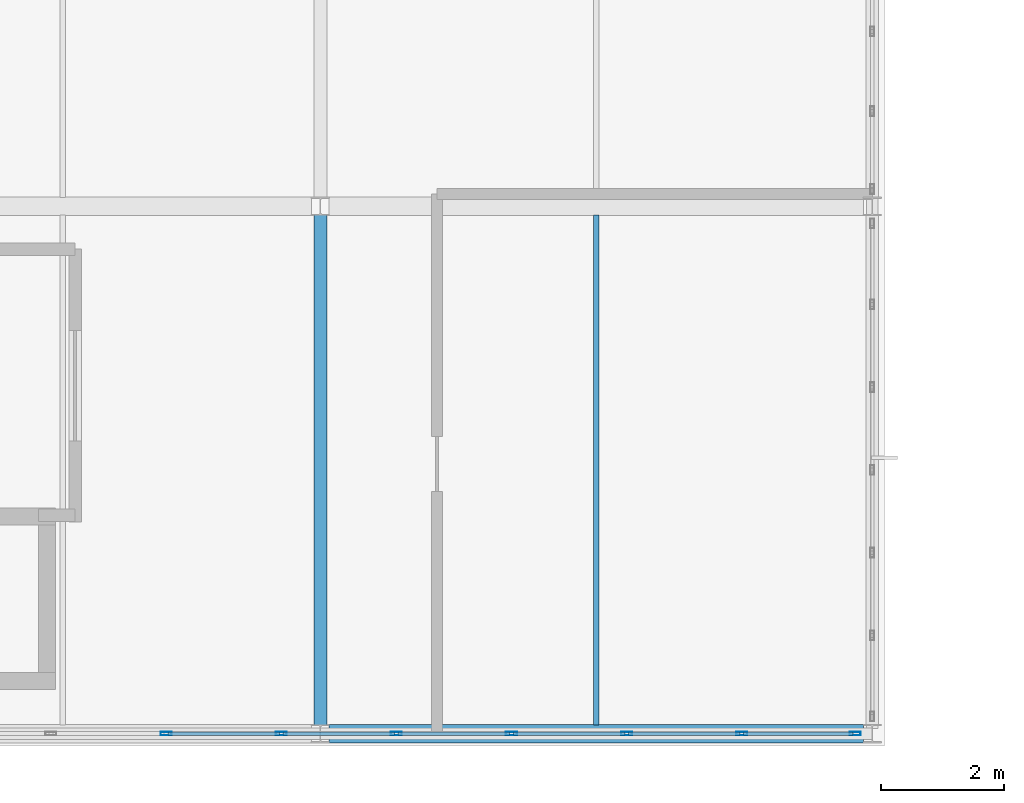
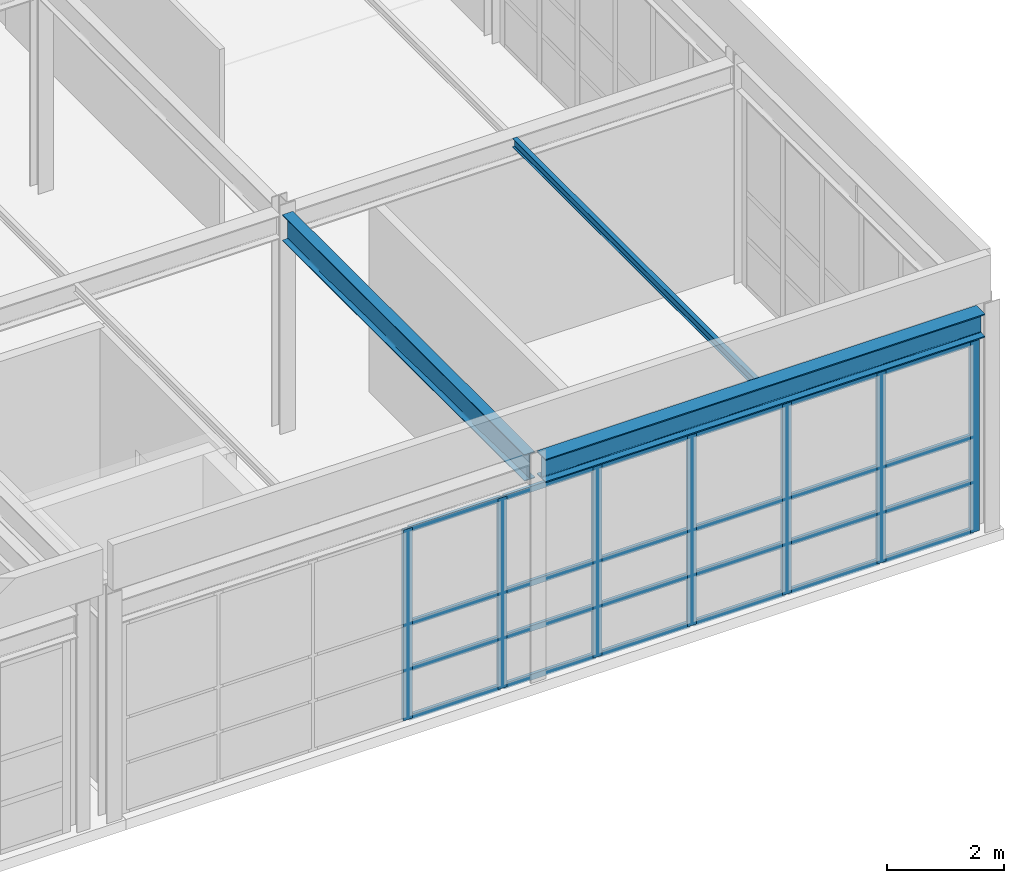
# One storey, part 21 of 38: 31 members, 3 beams, 1 element without a shape of its own.
"""IFC4 building model written with IfcOpenShell, lengths in metres."""

from ifc_helpers import new_model, si_unit, direction, frame, origin, origin_2d, place, context, subcontext, project, spatial, hollow_rectangle, i_section, extrude, material, material_profile, profile_set, type_object, element, aggregate, save


model = new_model("IFC4")

# Units and contexts
model_context = context("Model", 3, precision=1e-05, world=origin(), true_north=direction((0.0, 1.0)))
body_context = subcontext(model_context, "Body", "Model", "MODEL_VIEW")
ifc_project = project(units=[si_unit("LENGTHUNIT", "METRE"), si_unit("AREAUNIT", "SQUARE_METRE"), si_unit("VOLUMEUNIT", "CUBIC_METRE"), si_unit("PLANEANGLEUNIT", "RADIAN"), si_unit("MASSUNIT", "GRAM", prefix="KILO")], contexts=[model_context])

# Site, building, storey
site_placement = place(None, origin())
site = spatial("IfcSite", under=ifc_project, at=site_placement, CompositionType="ELEMENT")
building_placement = place(site_placement, origin())
building = spatial("IfcBuilding", under=site, at=building_placement, Name="Kaldris Quays Convention Centre", CompositionType="ELEMENT")
storey_placement = place(building_placement, frame((0.0, 0.0, 21.60009765625)))
storey = spatial("IfcBuildingStorey", under=building, at=storey_placement, Name="L04", CompositionType="ELEMENT", Elevation=21.60009765625)

# Curtain wall, members
ifc_material_1 = material(Name="Anodized aluminium AW-6060 and triple glazing", Category="aluminium")
curtain_wall_type = type_object("IfcCurtainWallType", Name="UNITISED CURTAIN WALL CW05", PredefinedType="NOTDEFINED", material=ifc_material_1)
curtain_wall_placement = place(storey_placement, origin())
curtain_wall = element("IfcCurtainWall", 1, at=curtain_wall_placement, inside=storey, type_object=curtain_wall_type, Name="L04 Unitised Curtain Wall CW05 152", PredefinedType="NOTDEFINED")
ifc_material_2 = material(Name="Anodized aluminium AW-6060", Category="aluminium")
ifc_material_profile_1 = material_profile(ifc_material_2, hollow_rectangle(XDim=0.06005859375, YDim=0.179931640625, WallThickness=0.0048828125, at=origin_2d()), Name="RHS 180x60x5")
ifc_profile_set_1 = profile_set([ifc_material_profile_1], Name="Anodized aluminium AW-6060")
member_type_1 = type_object("IfcMemberType", Name="CURTAIN MULLION CWM2", PredefinedType="MULLION", material=ifc_profile_set_1)
member_1_placement = place(storey_placement, frame((152.4833984375, 38.0, 0.0), z_axis=(0.0, 0.0, 1.0), x_axis=(0.0, 1.0, 0.0)))
member_1 = element("IfcMember", 2, at=member_1_placement, type_object=member_type_1, Name="CW05 mullion 4", PredefinedType="MULLION", context=body_context, shape_type="SweptSolid", body=[
    extrude(hollow_rectangle(XDim=0.06005859375, YDim=0.179931640625, WallThickness=0.0048828125, at=origin_2d()), origin(), (0.0, 0.0, 1.0), 4.0),
])
member_2_placement = place(storey_placement, frame((154.361083984375, 38.0, 0.0), z_axis=(0.0, 0.0, 1.0), x_axis=(0.0, 1.0, 0.0)))
member_2 = element("IfcMember", 3, at=member_2_placement, type_object=member_type_1, Name="CW05 mullion 5", PredefinedType="MULLION", context=body_context, shape_type="SweptSolid", body=[
    extrude(hollow_rectangle(XDim=0.06005859375, YDim=0.179931640625, WallThickness=0.0048828125, at=origin_2d()), origin(), (0.0, 0.0, 1.0), 4.0),
])
member_3_placement = place(storey_placement, frame((156.23876953125, 38.0, 0.0), z_axis=(0.0, 0.0, 1.0), x_axis=(0.0, 1.0, 0.0)))
member_3 = element("IfcMember", 4, at=member_3_placement, type_object=member_type_1, Name="CW05 mullion 6", PredefinedType="MULLION", context=body_context, shape_type="SweptSolid", body=[
    extrude(hollow_rectangle(XDim=0.06005859375, YDim=0.179931640625, WallThickness=0.0048828125, at=origin_2d()), origin(), (0.0, 0.0, 1.0), 4.0),
])
member_4_placement = place(storey_placement, frame((158.11669921875, 38.0, 0.0), z_axis=(0.0, 0.0, 1.0), x_axis=(0.0, 1.0, 0.0)))
member_4 = element("IfcMember", 5, at=member_4_placement, type_object=member_type_1, Name="CW05 mullion 7", PredefinedType="MULLION", context=body_context, shape_type="SweptSolid", body=[
    extrude(hollow_rectangle(XDim=0.06005859375, YDim=0.179931640625, WallThickness=0.0048828125, at=origin_2d()), origin(), (0.0, 0.0, 1.0), 4.0),
])
member_5_placement = place(storey_placement, frame((159.994384765625, 38.0, 0.0), z_axis=(0.0, 0.0, 1.0), x_axis=(0.0, 1.0, 0.0)))
member_5 = element("IfcMember", 6, at=member_5_placement, type_object=member_type_1, Name="CW05 mullion 8", PredefinedType="MULLION", context=body_context, shape_type="SweptSolid", body=[
    extrude(hollow_rectangle(XDim=0.06005859375, YDim=0.179931640625, WallThickness=0.0048828125, at=origin_2d()), origin(), (0.0, 0.0, 1.0), 4.0),
])
member_6_placement = place(storey_placement, frame((161.872314453125, 38.0, 0.0), z_axis=(0.0, 0.0, 1.0), x_axis=(0.0, 1.0, 0.0)))
member_6 = element("IfcMember", 7, at=member_6_placement, type_object=member_type_1, Name="CW05 mullion 9", PredefinedType="MULLION", context=body_context, shape_type="SweptSolid", body=[
    extrude(hollow_rectangle(XDim=0.06005859375, YDim=0.179931640625, WallThickness=0.0048828125, at=origin_2d()), origin(), (0.0, 0.0, 1.0), 4.0),
])
member_7_placement = place(storey_placement, frame((163.719970703125, 38.0, 0.0), z_axis=(0.0, 0.0, 1.0), x_axis=(0.0, 1.0, 0.0)))
member_7 = element("IfcMember", 8, at=member_7_placement, type_object=member_type_1, Name="CW05 mullion 10", PredefinedType="MULLION", context=body_context, shape_type="SweptSolid", body=[
    extrude(hollow_rectangle(XDim=0.06005859375, YDim=0.179931640625, WallThickness=0.0048828125, at=origin_2d()), origin(), (0.0, 0.0, 1.0), 4.0),
])
ifc_material_profile_2 = material_profile(ifc_material_2, hollow_rectangle(XDim=0.06005859375, YDim=0.1201171875, WallThickness=0.00390625, at=origin_2d()), Name="RHS 120x60x4")
ifc_profile_set_2 = profile_set([ifc_material_profile_2], Name="Anodized aluminium AW-6060")
member_type_2 = type_object("IfcMemberType", Name="CURTAIN TRANSOM CWT1", PredefinedType="USERDEFINED", material=ifc_profile_set_2)
member_8_placement = place(storey_placement, frame((152.513427734375, 38.0, 0.02978515625), z_axis=(1.0, 0.0, 0.0), x_axis=(0.0, 1.0, 0.0)))
member_8 = element("IfcMember", 9, at=member_8_placement, type_object=member_type_2, Name="CW05 transom 4.1", ObjectType="TRANSOM", PredefinedType="USERDEFINED", context=body_context, shape_type="SweptSolid", body=[
    extrude(hollow_rectangle(XDim=0.06005859375, YDim=0.1201171875, WallThickness=0.00390625, at=origin_2d()), origin(), (0.0, 0.0, 1.0), 1.817626953125),
])
member_9_placement = place(storey_placement, frame((152.513427734375, 38.0, 1.0498046875), z_axis=(1.0, 0.0, 0.0), x_axis=(0.0, 1.0, 0.0)))
member_9 = element("IfcMember", 10, at=member_9_placement, type_object=member_type_2, Name="CW05 transom 4.2", ObjectType="TRANSOM", PredefinedType="USERDEFINED", context=body_context, shape_type="SweptSolid", body=[
    extrude(hollow_rectangle(XDim=0.06005859375, YDim=0.1201171875, WallThickness=0.00390625, at=origin_2d()), origin(), (0.0, 0.0, 1.0), 1.817626953125),
])
member_10_placement = place(storey_placement, frame((152.513427734375, 38.0, 2.0), z_axis=(1.0, 0.0, 0.0), x_axis=(0.0, 1.0, 0.0)))
member_10 = element("IfcMember", 11, at=member_10_placement, type_object=member_type_2, Name="CW05 transom 4.3", ObjectType="TRANSOM", PredefinedType="USERDEFINED", context=body_context, shape_type="SweptSolid", body=[
    extrude(hollow_rectangle(XDim=0.06005859375, YDim=0.1201171875, WallThickness=0.00390625, at=origin_2d()), origin(), (0.0, 0.0, 1.0), 1.817626953125),
])
member_11_placement = place(storey_placement, frame((152.513427734375, 38.0, 3.969970703125), z_axis=(1.0, 0.0, 0.0), x_axis=(0.0, 1.0, 0.0)))
member_11 = element("IfcMember", 12, at=member_11_placement, type_object=member_type_2, Name="CW05 transom 4.4", ObjectType="TRANSOM", PredefinedType="USERDEFINED", context=body_context, shape_type="SweptSolid", body=[
    extrude(hollow_rectangle(XDim=0.06005859375, YDim=0.1201171875, WallThickness=0.00390625, at=origin_2d()), origin(), (0.0, 0.0, 1.0), 1.817626953125),
])
member_12_placement = place(storey_placement, frame((154.39111328125, 38.0, 0.02978515625), z_axis=(1.0, 0.0, 0.0), x_axis=(0.0, 1.0, 0.0)))
member_12 = element("IfcMember", 13, at=member_12_placement, type_object=member_type_2, Name="CW05 transom 5.1", ObjectType="TRANSOM", PredefinedType="USERDEFINED", context=body_context, shape_type="SweptSolid", body=[
    extrude(hollow_rectangle(XDim=0.06005859375, YDim=0.1201171875, WallThickness=0.00390625, at=origin_2d()), origin(), (0.0, 0.0, 1.0), 1.81787109375),
])
member_13_placement = place(storey_placement, frame((154.39111328125, 38.0, 1.0498046875), z_axis=(1.0, 0.0, 0.0), x_axis=(0.0, 1.0, 0.0)))
member_13 = element("IfcMember", 14, at=member_13_placement, type_object=member_type_2, Name="CW05 transom 5.2", ObjectType="TRANSOM", PredefinedType="USERDEFINED", context=body_context, shape_type="SweptSolid", body=[
    extrude(hollow_rectangle(XDim=0.06005859375, YDim=0.1201171875, WallThickness=0.00390625, at=origin_2d()), origin(), (0.0, 0.0, 1.0), 1.81787109375),
])
member_14_placement = place(storey_placement, frame((154.39111328125, 38.0, 2.0), z_axis=(1.0, 0.0, 0.0), x_axis=(0.0, 1.0, 0.0)))
member_14 = element("IfcMember", 15, at=member_14_placement, type_object=member_type_2, Name="CW05 transom 5.3", ObjectType="TRANSOM", PredefinedType="USERDEFINED", context=body_context, shape_type="SweptSolid", body=[
    extrude(hollow_rectangle(XDim=0.06005859375, YDim=0.1201171875, WallThickness=0.00390625, at=origin_2d()), origin(), (0.0, 0.0, 1.0), 1.81787109375),
])
member_15_placement = place(storey_placement, frame((154.39111328125, 38.0, 3.969970703125), z_axis=(1.0, 0.0, 0.0), x_axis=(0.0, 1.0, 0.0)))
member_15 = element("IfcMember", 16, at=member_15_placement, type_object=member_type_2, Name="CW05 transom 5.4", ObjectType="TRANSOM", PredefinedType="USERDEFINED", context=body_context, shape_type="SweptSolid", body=[
    extrude(hollow_rectangle(XDim=0.06005859375, YDim=0.1201171875, WallThickness=0.00390625, at=origin_2d()), origin(), (0.0, 0.0, 1.0), 1.81787109375),
])
member_16_placement = place(storey_placement, frame((156.268798828125, 38.0, 0.02978515625), z_axis=(1.0, 0.0, 0.0), x_axis=(0.0, 1.0, 0.0)))
member_16 = element("IfcMember", 17, at=member_16_placement, type_object=member_type_2, Name="CW05 transom 6.1", ObjectType="TRANSOM", PredefinedType="USERDEFINED", context=body_context, shape_type="SweptSolid", body=[
    extrude(hollow_rectangle(XDim=0.06005859375, YDim=0.1201171875, WallThickness=0.00390625, at=origin_2d()), origin(), (0.0, 0.0, 1.0), 1.81787109375),
])
member_17_placement = place(storey_placement, frame((156.268798828125, 38.0, 1.0498046875), z_axis=(1.0, 0.0, 0.0), x_axis=(0.0, 1.0, 0.0)))
member_17 = element("IfcMember", 18, at=member_17_placement, type_object=member_type_2, Name="CW05 transom 6.2", ObjectType="TRANSOM", PredefinedType="USERDEFINED", context=body_context, shape_type="SweptSolid", body=[
    extrude(hollow_rectangle(XDim=0.06005859375, YDim=0.1201171875, WallThickness=0.00390625, at=origin_2d()), origin(), (0.0, 0.0, 1.0), 1.81787109375),
])
member_18_placement = place(storey_placement, frame((156.268798828125, 38.0, 2.0), z_axis=(1.0, 0.0, 0.0), x_axis=(0.0, 1.0, 0.0)))
member_18 = element("IfcMember", 19, at=member_18_placement, type_object=member_type_2, Name="CW05 transom 6.3", ObjectType="TRANSOM", PredefinedType="USERDEFINED", context=body_context, shape_type="SweptSolid", body=[
    extrude(hollow_rectangle(XDim=0.06005859375, YDim=0.1201171875, WallThickness=0.00390625, at=origin_2d()), origin(), (0.0, 0.0, 1.0), 1.81787109375),
])
member_19_placement = place(storey_placement, frame((156.268798828125, 38.0, 3.969970703125), z_axis=(1.0, 0.0, 0.0), x_axis=(0.0, 1.0, 0.0)))
member_19 = element("IfcMember", 20, at=member_19_placement, type_object=member_type_2, Name="CW05 transom 6.4", ObjectType="TRANSOM", PredefinedType="USERDEFINED", context=body_context, shape_type="SweptSolid", body=[
    extrude(hollow_rectangle(XDim=0.06005859375, YDim=0.1201171875, WallThickness=0.00390625, at=origin_2d()), origin(), (0.0, 0.0, 1.0), 1.81787109375),
])
member_20_placement = place(storey_placement, frame((158.146728515625, 38.0, 0.02978515625), z_axis=(1.0, 0.0, 0.0), x_axis=(0.0, 1.0, 0.0)))
member_20 = element("IfcMember", 21, at=member_20_placement, type_object=member_type_2, Name="CW05 transom 7.1", ObjectType="TRANSOM", PredefinedType="USERDEFINED", context=body_context, shape_type="SweptSolid", body=[
    extrude(hollow_rectangle(XDim=0.06005859375, YDim=0.1201171875, WallThickness=0.00390625, at=origin_2d()), origin(), (0.0, 0.0, 1.0), 1.817626953125),
])
member_21_placement = place(storey_placement, frame((158.146728515625, 38.0, 1.0498046875), z_axis=(1.0, 0.0, 0.0), x_axis=(0.0, 1.0, 0.0)))
member_21 = element("IfcMember", 22, at=member_21_placement, type_object=member_type_2, Name="CW05 transom 7.2", ObjectType="TRANSOM", PredefinedType="USERDEFINED", context=body_context, shape_type="SweptSolid", body=[
    extrude(hollow_rectangle(XDim=0.06005859375, YDim=0.1201171875, WallThickness=0.00390625, at=origin_2d()), origin(), (0.0, 0.0, 1.0), 1.817626953125),
])
member_22_placement = place(storey_placement, frame((158.146728515625, 38.0, 2.0), z_axis=(1.0, 0.0, 0.0), x_axis=(0.0, 1.0, 0.0)))
member_22 = element("IfcMember", 23, at=member_22_placement, type_object=member_type_2, Name="CW05 transom 7.3", ObjectType="TRANSOM", PredefinedType="USERDEFINED", context=body_context, shape_type="SweptSolid", body=[
    extrude(hollow_rectangle(XDim=0.06005859375, YDim=0.1201171875, WallThickness=0.00390625, at=origin_2d()), origin(), (0.0, 0.0, 1.0), 1.817626953125),
])
member_23_placement = place(storey_placement, frame((158.146728515625, 38.0, 3.969970703125), z_axis=(1.0, 0.0, 0.0), x_axis=(0.0, 1.0, 0.0)))
member_23 = element("IfcMember", 24, at=member_23_placement, type_object=member_type_2, Name="CW05 transom 7.4", ObjectType="TRANSOM", PredefinedType="USERDEFINED", context=body_context, shape_type="SweptSolid", body=[
    extrude(hollow_rectangle(XDim=0.06005859375, YDim=0.1201171875, WallThickness=0.00390625, at=origin_2d()), origin(), (0.0, 0.0, 1.0), 1.817626953125),
])
member_24_placement = place(storey_placement, frame((160.0244140625, 38.0, 0.02978515625), z_axis=(1.0, 0.0, 0.0), x_axis=(0.0, 1.0, 0.0)))
member_24 = element("IfcMember", 25, at=member_24_placement, type_object=member_type_2, Name="CW05 transom 8.1", ObjectType="TRANSOM", PredefinedType="USERDEFINED", context=body_context, shape_type="SweptSolid", body=[
    extrude(hollow_rectangle(XDim=0.06005859375, YDim=0.1201171875, WallThickness=0.00390625, at=origin_2d()), origin(), (0.0, 0.0, 1.0), 1.81787109375),
])
member_25_placement = place(storey_placement, frame((160.0244140625, 38.0, 1.0498046875), z_axis=(1.0, 0.0, 0.0), x_axis=(0.0, 1.0, 0.0)))
member_25 = element("IfcMember", 26, at=member_25_placement, type_object=member_type_2, Name="CW05 transom 8.2", ObjectType="TRANSOM", PredefinedType="USERDEFINED", context=body_context, shape_type="SweptSolid", body=[
    extrude(hollow_rectangle(XDim=0.06005859375, YDim=0.1201171875, WallThickness=0.00390625, at=origin_2d()), origin(), (0.0, 0.0, 1.0), 1.81787109375),
])
member_26_placement = place(storey_placement, frame((160.0244140625, 38.0, 2.0), z_axis=(1.0, 0.0, 0.0), x_axis=(0.0, 1.0, 0.0)))
member_26 = element("IfcMember", 27, at=member_26_placement, type_object=member_type_2, Name="CW05 transom 8.3", ObjectType="TRANSOM", PredefinedType="USERDEFINED", context=body_context, shape_type="SweptSolid", body=[
    extrude(hollow_rectangle(XDim=0.06005859375, YDim=0.1201171875, WallThickness=0.00390625, at=origin_2d()), origin(), (0.0, 0.0, 1.0), 1.81787109375),
])
member_27_placement = place(storey_placement, frame((160.0244140625, 38.0, 3.969970703125), z_axis=(1.0, 0.0, 0.0), x_axis=(0.0, 1.0, 0.0)))
member_27 = element("IfcMember", 28, at=member_27_placement, type_object=member_type_2, Name="CW05 transom 8.4", ObjectType="TRANSOM", PredefinedType="USERDEFINED", context=body_context, shape_type="SweptSolid", body=[
    extrude(hollow_rectangle(XDim=0.06005859375, YDim=0.1201171875, WallThickness=0.00390625, at=origin_2d()), origin(), (0.0, 0.0, 1.0), 1.81787109375),
])
member_28_placement = place(storey_placement, frame((161.90234375, 38.0, 0.02978515625), z_axis=(1.0, 0.0, 0.0), x_axis=(0.0, 1.0, 0.0)))
member_28 = element("IfcMember", 29, at=member_28_placement, type_object=member_type_2, Name="CW05 transom 9.1", ObjectType="TRANSOM", PredefinedType="USERDEFINED", context=body_context, shape_type="SweptSolid", body=[
    extrude(hollow_rectangle(XDim=0.06005859375, YDim=0.1201171875, WallThickness=0.00390625, at=origin_2d()), origin(), (0.0, 0.0, 1.0), 1.78759765625),
])
member_29_placement = place(storey_placement, frame((161.90234375, 38.0, 1.0498046875), z_axis=(1.0, 0.0, 0.0), x_axis=(0.0, 1.0, 0.0)))
member_29 = element("IfcMember", 30, at=member_29_placement, type_object=member_type_2, Name="CW05 transom 9.2", ObjectType="TRANSOM", PredefinedType="USERDEFINED", context=body_context, shape_type="SweptSolid", body=[
    extrude(hollow_rectangle(XDim=0.06005859375, YDim=0.1201171875, WallThickness=0.00390625, at=origin_2d()), origin(), (0.0, 0.0, 1.0), 1.78759765625),
])
member_30_placement = place(storey_placement, frame((161.90234375, 38.0, 2.0), z_axis=(1.0, 0.0, 0.0), x_axis=(0.0, 1.0, 0.0)))
member_30 = element("IfcMember", 31, at=member_30_placement, type_object=member_type_2, Name="CW05 transom 9.3", ObjectType="TRANSOM", PredefinedType="USERDEFINED", context=body_context, shape_type="SweptSolid", body=[
    extrude(hollow_rectangle(XDim=0.06005859375, YDim=0.1201171875, WallThickness=0.00390625, at=origin_2d()), origin(), (0.0, 0.0, 1.0), 1.78759765625),
])
member_31_placement = place(storey_placement, frame((161.90234375, 38.0, 3.969970703125), z_axis=(1.0, 0.0, 0.0), x_axis=(0.0, 1.0, 0.0)))
member_31 = element("IfcMember", 32, at=member_31_placement, type_object=member_type_2, Name="CW05 transom 9.4", ObjectType="TRANSOM", PredefinedType="USERDEFINED", context=body_context, shape_type="SweptSolid", body=[
    extrude(hollow_rectangle(XDim=0.06005859375, YDim=0.1201171875, WallThickness=0.00390625, at=origin_2d()), origin(), (0.0, 0.0, 1.0), 1.78759765625),
])
aggregate(curtain_wall, [member_1, member_2, member_3, member_4, member_5, member_6, member_7, member_8, member_9, member_10, member_11, member_12, member_13, member_14, member_15, member_16, member_17, member_18, member_19, member_20, member_21, member_22, member_23, member_24, member_25, member_26, member_27, member_28, member_29, member_30, member_31])

# Beams
ifc_material_3 = material(Name="Steel S355J2", Category="steel")
ifc_material_profile_3 = material_profile(ifc_material_3, i_section(OverallWidth=0.300048828125, OverallDepth=0.489990234375, WebThickness=0.011962890625, FlangeThickness=0.02294921875, FilletRadius=0.027099609375, at=origin_2d()), Name="HEA 500")
ifc_profile_set_3 = profile_set([ifc_material_profile_3], Name="Steel S355J2")
beam_type_1 = type_object("IfcBeamType", Name="STRUCTURAL BEAM BM09", PredefinedType="BEAM", material=ifc_profile_set_3)
beam_1_placement = place(storey_placement, frame((155.14404296875, 38.0, 4.347900390625), z_axis=(1.0, 0.0, 0.0), x_axis=(0.0, 1.0, 0.0)))
element("IfcBeam", 33, at=beam_1_placement, inside=storey, type_object=beam_type_1, Name="L04 Girder BM09 8", PredefinedType="BEAM", context=body_context, shape_type="SweptSolid", body=[
    extrude(i_section(OverallWidth=0.300048828125, OverallDepth=0.489990234375, WebThickness=0.011962890625, FlangeThickness=0.02294921875, FilletRadius=0.027099609375, at=origin_2d()), origin(), (0.0, 0.0, 1.0), 8.7119140625),
])
ifc_material_profile_4 = material_profile(ifc_material_3, i_section(OverallWidth=0.2099609375, OverallDepth=0.550048828125, WebThickness=0.010986328125, FlangeThickness=0.01708984375, FilletRadius=0.02392578125, at=origin_2d()), Name="IPE 550")
ifc_profile_set_4 = profile_set([ifc_material_profile_4], Name="Steel S355J2")
beam_type_2 = type_object("IfcBeamType", Name="STRUCTURAL BEAM BM11", PredefinedType="BEAM", material=ifc_profile_set_4)
beam_2_placement = place(storey_placement, frame((155.0, 38.14404296875, 4.31787109375), z_axis=(0.0, 1.0, 0.0), x_axis=(-1.0, 0.0, 0.0)))
element("IfcBeam", 34, at=beam_2_placement, inside=storey, type_object=beam_type_2, Name="L04 Girder BM11 55", PredefinedType="BEAM", context=body_context, shape_type="SweptSolid", body=[
    extrude(i_section(OverallWidth=0.2099609375, OverallDepth=0.550048828125, WebThickness=0.010986328125, FlangeThickness=0.01708984375, FilletRadius=0.02392578125, at=origin_2d()), origin(), (0.0, 0.0, 1.0), 8.31201171875),
])
ifc_material_profile_5 = material_profile(ifc_material_3, i_section(OverallWidth=0.091064453125, OverallDepth=0.179931640625, WebThickness=0.00537109375, FlangeThickness=0.008056640625, FilletRadius=0.009033203125, at=origin_2d()), Name="IPE 180")
ifc_profile_set_5 = profile_set([ifc_material_profile_5], Name="Steel S355J2")
beam_type_3 = type_object("IfcBeamType", Name="STRUCTURAL BEAM JT10", PredefinedType="JOIST", material=ifc_profile_set_5)
beam_3_placement = place(storey_placement, frame((159.5, 38.14404296875, 4.5029296875), z_axis=(0.0, 1.0, 0.0), x_axis=(-1.0, 0.0, 0.0)))
element("IfcBeam", 35, at=beam_3_placement, inside=storey, type_object=beam_type_3, Name="L04 Secondary Joist JT10 2", PredefinedType="JOIST", context=body_context, shape_type="SweptSolid", body=[
    extrude(i_section(OverallWidth=0.091064453125, OverallDepth=0.179931640625, WebThickness=0.00537109375, FlangeThickness=0.008056640625, FilletRadius=0.009033203125, at=origin_2d()), origin(), (0.0, 0.0, 1.0), 8.31201171875),
])

save(model, "model.ifc")
